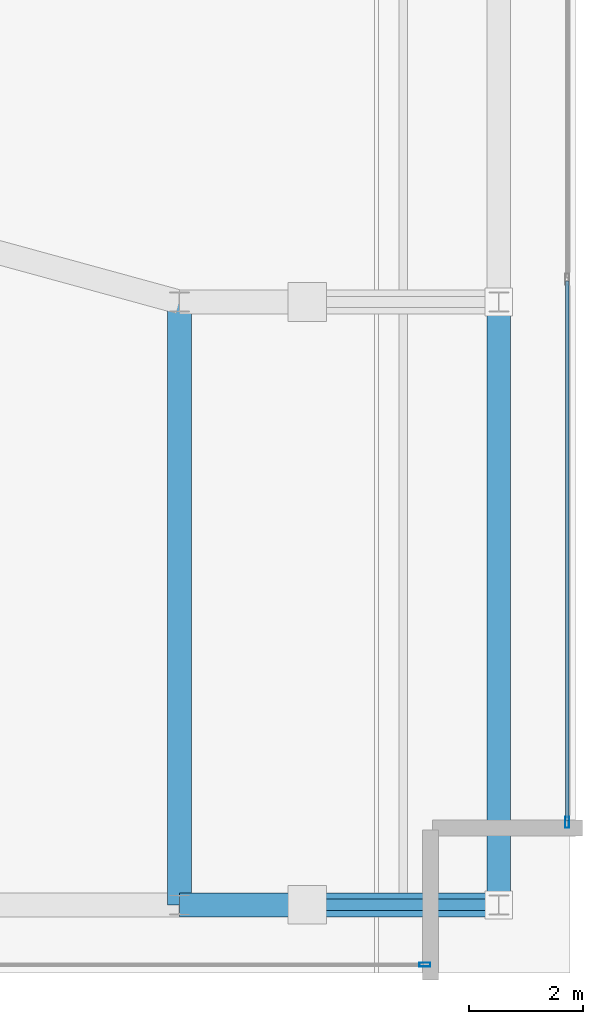
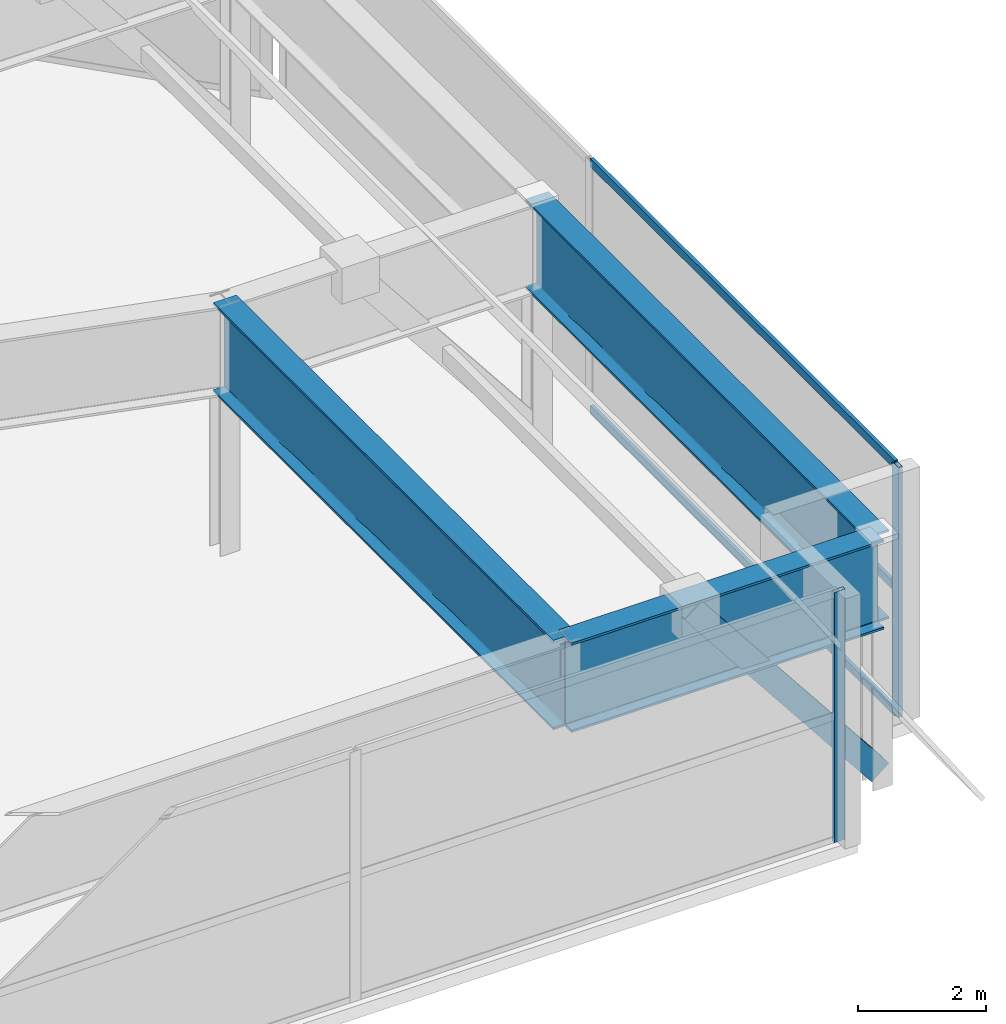
# One storey, part 8 of 22: 5 members, 4 beams, 2 elements without a shape of their own.
"""IFC4 building model written with IfcOpenShell, lengths in metres."""

from ifc_helpers import new_model, si_unit, direction, frame, origin, origin_2d, place, context, subcontext, project, spatial, hollow_rectangle, i_section, extrude, material, layer, layer_set, material_profile, profile_set, type_object, element, aggregate, save


model = new_model("IFC4")

# Units and contexts
model_context = context("Model", 3, precision=1e-05, world=origin(), true_north=direction((0.0, 1.0)))
body_context = subcontext(model_context, "Body", "Model", "MODEL_VIEW")
ifc_project = project(units=[si_unit("LENGTHUNIT", "METRE"), si_unit("AREAUNIT", "SQUARE_METRE"), si_unit("VOLUMEUNIT", "CUBIC_METRE"), si_unit("PLANEANGLEUNIT", "RADIAN"), si_unit("MASSUNIT", "GRAM", prefix="KILO")], contexts=[model_context])

# Site, building, storey
site_placement = place(None, origin())
site = spatial("IfcSite", under=ifc_project, at=site_placement, CompositionType="ELEMENT")
building_placement = place(site_placement, origin())
building = spatial("IfcBuilding", under=site, at=building_placement, Name="Calvorn Quay Hotel", CompositionType="ELEMENT")
storey_placement = place(building_placement, frame((0.0, 0.0, 325.5)))
storey = spatial("IfcBuildingStorey", under=building, at=storey_placement, Name="L80", CompositionType="ELEMENT", Elevation=325.5)

# Beams
ifc_material_1 = material(Name="Steel Q355B", Category="steel")
ifc_material_profile_1 = material_profile(ifc_material_1, hollow_rectangle(XDim=0.199951171875, YDim=0.39990234375, WallThickness=0.013916015625, at=origin_2d()), Name="RHS400x200x14")
ifc_profile_set_1 = profile_set([ifc_material_profile_1], Name="Steel Q355B")
beam_type_1 = type_object("IfcBeamType", Name="BM-CRN-RAFTER", PredefinedType="BEAM", material=ifc_profile_set_1)
beam_1_placement = place(storey_placement, frame((30.116943359375, 3.60009765625, 0.25), z_axis=(-0.620072794286, 0.0, 0.784544281597), x_axis=(0.0, -1.0, 0.0)))
element("IfcBeam", 1, at=beam_1_placement, inside=storey, type_object=beam_type_1, Name="Crown Raking Rafter L80-1", PredefinedType="BEAM", context=body_context, shape_type="SweptSolid", body=[
    extrude(hollow_rectangle(XDim=0.199951171875, YDim=0.39990234375, WallThickness=0.013916015625, at=origin_2d()), origin(), (0.0, 0.0, 1.0), 5.429931640625),
])
ifc_material_2 = material(Name="Steel Q420GJC", Category="steel")
ifc_material_profile_2 = material_profile(ifc_material_2, i_section(OverallWidth=0.419921875, OverallDepth=1.699951171875, WebThickness=0.02392578125, FlangeThickness=0.0419921875, FilletRadius=0.02392578125, at=origin_2d()), Name="HN1700x420x24x42")
ifc_profile_set_2 = profile_set([ifc_material_profile_2], Name="Steel Q420GJC")
beam_type_2 = type_object("IfcBeamType", Name="BM-XFER-SAWTOOTH", PredefinedType="BEAM", material=ifc_profile_set_2)
beam_2_placement = place(storey_placement, frame((24.5, 3.60009765625, 3.889892578125), z_axis=(1.0, 0.0, 0.0), x_axis=(0.0, 1.0, 0.0)))
element("IfcBeam", 2, at=beam_2_placement, inside=storey, type_object=beam_type_2, Name="Beam BTG-L80-C-CR1B", PredefinedType="BEAM", context=body_context, shape_type="SweptSolid", body=[
    extrude(i_section(OverallWidth=0.419921875, OverallDepth=1.699951171875, WebThickness=0.02392578125, FlangeThickness=0.0419921875, FilletRadius=0.02392578125, at=origin_2d()), origin(), (0.0, 0.0, 1.0), 5.616943359375),
])
for number, where, z_axis, x_axis, name in (
    (3, (30.116943359375, 3.60009765625, 3.889892578125), (0.0, 1.0, 0.0), (-1.0, 0.0, 0.0), "Beam BTG-L80-CE1"),
    (4, (24.5, 3.60009765625, 3.889892578125), (0.0, 1.0, 0.0), (-1.0, 0.0, 0.0), "Beam BTG-L80-CEM"),
):
    element("IfcBeam", number, at=place(storey_placement, frame(where, z_axis=z_axis, x_axis=x_axis)), inside=storey, type_object=beam_type_2, Name=name, PredefinedType="BEAM", context=body_context, shape_type="SweptSolid", body=[
        extrude(i_section(OverallWidth=0.419921875, OverallDepth=1.699951171875, WebThickness=0.02392578125, FlangeThickness=0.0419921875, FilletRadius=0.02392578125, at=origin_2d()), origin(), (0.0, 0.0, 1.0), 10.599853515625),
    ])

# Curtain wall, member
ifc_material_3 = material(Name="Pale Anodised Aluminium and Laminated Glass", Category="aluminium")
ifc_layer = layer(ifc_material_3, 0.219970703125)
ifc_layer_set = layer_set([ifc_layer], Name="CW-SYS-CRN")
curtain_wall_type = type_object("IfcCurtainWallType", Name="CW-SYS-CRN", PredefinedType="NOTDEFINED", material=ifc_layer_set)
curtain_wall_1_placement = place(storey_placement, origin())
curtain_wall_1 = element("IfcCurtainWall", 5, at=curtain_wall_1_placement, inside=storey, type_object=curtain_wall_type, Name="Crown Curtain Wall L80-C1", PredefinedType="NOTDEFINED")
ifc_material_4 = material(Name="Pale Anodised Aluminium 6063-T6", Category="aluminium")
ifc_material_profile_3 = material_profile(ifc_material_4, hollow_rectangle(XDim=0.072021484375, YDim=0.195068359375, WallThickness=0.00390625, at=origin_2d()), Name="ALU-M195x72x4")
ifc_profile_set_3 = profile_set([ifc_material_profile_3], Name="Pale Anodised Aluminium 6063-T6")
member_type_1 = type_object("IfcMemberType", Name="CW-SYS-CRN-MUL", PredefinedType="MULLION", material=ifc_profile_set_3)
member_1_placement = place(storey_placement, frame((28.81689453125, 2.550048828125, 0.0), z_axis=(0.0, 0.0, 1.0), x_axis=(0.0, 1.0, 0.0)))
member_1 = element("IfcMember", 6, at=member_1_placement, type_object=member_type_1, Name="CW-L80-C1 mullion 4", PredefinedType="MULLION", context=body_context, shape_type="SweptSolid", body=[
    extrude(hollow_rectangle(XDim=0.072021484375, YDim=0.195068359375, WallThickness=0.00390625, at=origin_2d()), origin(), (0.0, 0.0, 1.0), 4.760009765625),
])
aggregate(curtain_wall_1, [member_1])

# Curtain wall, members
curtain_wall_2_placement = place(storey_placement, origin())
curtain_wall_2 = element("IfcCurtainWall", 7, at=curtain_wall_2_placement, inside=storey, type_object=curtain_wall_type, Name="Crown Curtain Wall L80-C2", PredefinedType="NOTDEFINED")
member_2_placement = place(storey_placement, frame((31.31689453125, 5.050048828125, 0.0), z_axis=(0.0, 0.0, 1.0), x_axis=(-1.0, 0.0, 0.0)))
member_2 = element("IfcMember", 8, at=member_2_placement, type_object=member_type_1, Name="CW-L80-C2 mullion 1", PredefinedType="MULLION", context=body_context, shape_type="SweptSolid", body=[
    extrude(hollow_rectangle(XDim=0.072021484375, YDim=0.195068359375, WallThickness=0.00390625, at=origin_2d()), origin(), (0.0, 0.0, 1.0), 4.760009765625),
])
ifc_material_5 = material(Name="Pale Anodised Aluminium 6063-T6", Category="aluminium")
ifc_material_profile_4 = material_profile(ifc_material_5, hollow_rectangle(XDim=0.06201171875, YDim=0.159912109375, WallThickness=0.00341796875, at=origin_2d()), Name="ALU-T160x62x3.5")
ifc_profile_set_4 = profile_set([ifc_material_profile_4], Name="Pale Anodised Aluminium 6063-T6")
member_type_2 = type_object("IfcMemberType", Name="CW-SYS-CRN-TRN", PredefinedType="USERDEFINED", material=ifc_profile_set_4)
member_3_placement = place(storey_placement, frame((31.31689453125, 5.080078125, 0.030029296875), z_axis=(0.0, 1.0, 0.0), x_axis=(-1.0, 0.0, 0.0)))
member_3 = element("IfcMember", 9, at=member_3_placement, type_object=member_type_2, Name="CW-L80-C2 transom 1.1", ObjectType="TRANSOM", PredefinedType="USERDEFINED", context=body_context, shape_type="SweptSolid", body=[
    extrude(hollow_rectangle(XDim=0.06201171875, YDim=0.159912109375, WallThickness=0.00341796875, at=origin_2d()), origin(), (0.0, 0.0, 1.0), 9.489990234375),
])
member_4_placement = place(storey_placement, frame((31.31689453125, 5.080078125, 2.39990234375), z_axis=(0.0, 1.0, 0.0), x_axis=(-1.0, 0.0, 0.0)))
member_4 = element("IfcMember", 10, at=member_4_placement, type_object=member_type_2, Name="CW-L80-C2 transom 1.2", ObjectType="TRANSOM", PredefinedType="USERDEFINED", context=body_context, shape_type="SweptSolid", body=[
    extrude(hollow_rectangle(XDim=0.06201171875, YDim=0.159912109375, WallThickness=0.00341796875, at=origin_2d()), origin(), (0.0, 0.0, 1.0), 9.489990234375),
])
member_5_placement = place(storey_placement, frame((31.31689453125, 5.080078125, 4.72998046875), z_axis=(0.0, 1.0, 0.0), x_axis=(-1.0, 0.0, 0.0)))
member_5 = element("IfcMember", 11, at=member_5_placement, type_object=member_type_2, Name="CW-L80-C2 transom 1.3", ObjectType="TRANSOM", PredefinedType="USERDEFINED", context=body_context, shape_type="SweptSolid", body=[
    extrude(hollow_rectangle(XDim=0.06201171875, YDim=0.159912109375, WallThickness=0.00341796875, at=origin_2d()), origin(), (0.0, 0.0, 1.0), 9.489990234375),
])
aggregate(curtain_wall_2, [member_2, member_3, member_4, member_5])

save(model, "model.ifc")
